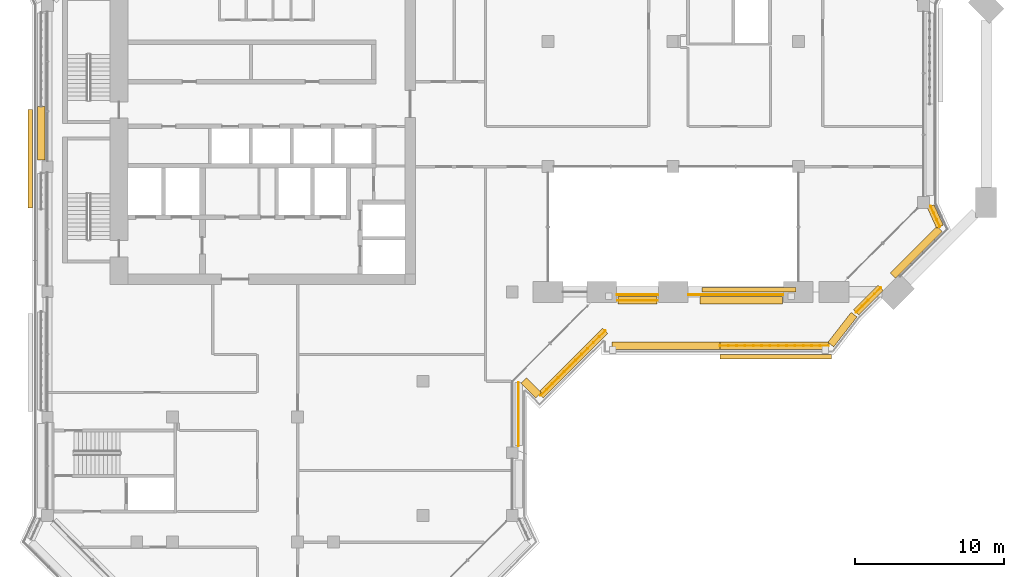
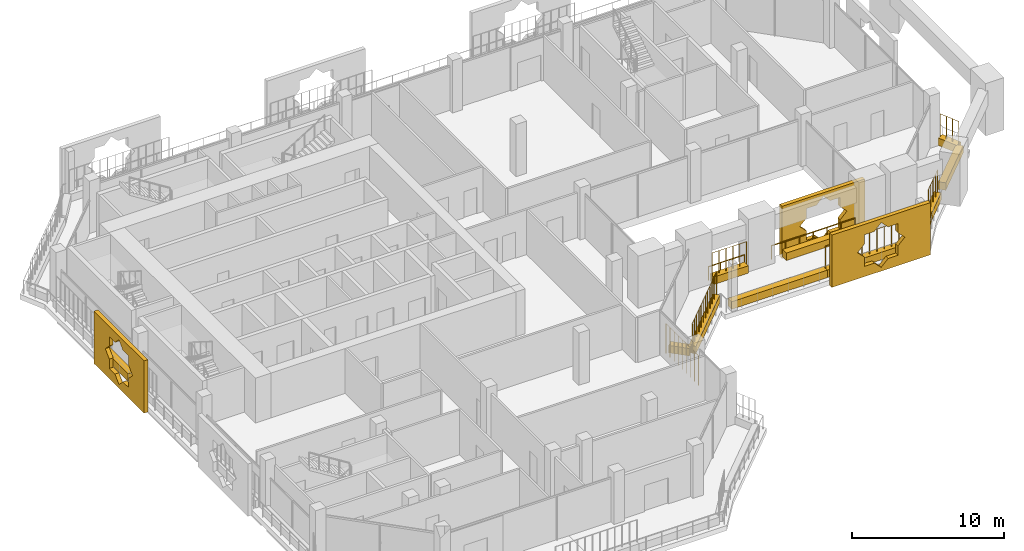
# One storey, part 18 of 22: 14 coverings, 8 railings.
"""IFC4 building model written with IfcOpenShell, lengths in metres."""

from ifc_helpers import new_model, si_unit, direction, frame, origin, origin_2d, place, context, subcontext, project, spatial, polyline, rectangle, circle, outline, extrude, material, material_profile, profile_set, type_object, element, save


model = new_model("IFC4")

# Units and contexts
model_context = context("Model", 3, precision=1e-05, world=origin(), true_north=direction((0.0, 1.0)))
body_context = subcontext(model_context, "Body", "Model", "MODEL_VIEW")
ifc_project = project(units=[si_unit("LENGTHUNIT", "METRE"), si_unit("AREAUNIT", "SQUARE_METRE"), si_unit("VOLUMEUNIT", "CUBIC_METRE"), si_unit("PLANEANGLEUNIT", "RADIAN"), si_unit("MASSUNIT", "GRAM", prefix="KILO")], contexts=[model_context])

# Site, building, storey
site_placement = place(None, origin())
site = spatial("IfcSite", under=ifc_project, at=site_placement, CompositionType="ELEMENT")
building_placement = place(site_placement, origin())
building = spatial("IfcBuilding", under=site, at=building_placement, Name="Kawkab Arch Medical Tower", CompositionType="ELEMENT")
storey_placement = place(building_placement, frame((0.0, 0.0, 286.0)))
storey = spatial("IfcBuildingStorey", under=building, at=storey_placement, Name="L66", CompositionType="ELEMENT", Elevation=286.0)

# Railings
ifc_material_1 = material(Name="Bronze anodised aluminium guard", Category="aluminium")
railing_type_1 = type_object("IfcRailingType", Name="Loggia and terrace guard 1100", PredefinedType="GUARDRAIL", material=ifc_material_1)
railing_1_placement = place(storey_placement, frame((38.22998046875, -25.39990234375, 0.0)))
element("IfcRailing", 1, at=railing_1_placement, inside=storey, type_object=railing_type_1, Name="Guard L66.LOG-01.1.1", PredefinedType="GUARDRAIL", context=body_context, shape_type="SweptSolid", body=[
    extrude(circle(Radius=0.02392578125, at=origin_2d()), frame((0.0, 0.0, 1.076171875), z_axis=(1.0, 0.0, 0.0), x_axis=(0.0, 1.0, 0.0)), (0.0, 0.0, 1.0), 2.739990234375),
    extrude(circle(Radius=0.02099609375, at=origin_2d()), origin(), (0.0, 0.0, 1.0), 1.052001953125),
    extrude(circle(Radius=0.02099609375, at=origin_2d()), frame((0.913330078125, 0.0, 0.0)), (0.0, 0.0, 1.0), 1.052001953125),
    extrude(circle(Radius=0.02099609375, at=origin_2d()), frame((1.82666015625, 0.0, 0.0)), (0.0, 0.0, 1.0), 1.052001953125),
    extrude(circle(Radius=0.02099609375, at=origin_2d()), frame((2.739990234375, 0.0, 0.0)), (0.0, 0.0, 1.0), 1.052001953125),
])
railing_2_placement = place(storey_placement, frame((43.030029296875, -25.39990234375, 0.0)))
element("IfcRailing", 2, at=railing_2_placement, inside=storey, type_object=railing_type_1, Name="Guard L66.LOG-01.1.2", PredefinedType="GUARDRAIL", context=body_context, shape_type="SweptSolid", body=[
    extrude(circle(Radius=0.02392578125, at=origin_2d()), frame((0.0, 0.0, 1.076171875), z_axis=(1.0, 0.0, 0.0), x_axis=(0.0, 1.0, 0.0)), (0.0, 0.0, 1.0), 6.340087890625),
    extrude(circle(Radius=0.02099609375, at=origin_2d()), origin(), (0.0, 0.0, 1.0), 1.052001953125),
    extrude(circle(Radius=0.02099609375, at=origin_2d()), frame((1.056640625, 0.0, 0.0)), (0.0, 0.0, 1.0), 1.052001953125),
    extrude(circle(Radius=0.02099609375, at=origin_2d()), frame((2.11328125, 0.0, 0.0)), (0.0, 0.0, 1.0), 1.052001953125),
    extrude(circle(Radius=0.02099609375, at=origin_2d()), frame((3.169921875, 0.0, 0.0)), (0.0, 0.0, 1.0), 1.052001953125),
    extrude(circle(Radius=0.02099609375, at=origin_2d()), frame((4.226806640625, 0.0, 0.0)), (0.0, 0.0, 1.0), 1.052001953125),
    extrude(circle(Radius=0.02099609375, at=origin_2d()), frame((5.283447265625, 0.0, 0.0)), (0.0, 0.0, 1.0), 1.052001953125),
    extrude(circle(Radius=0.02099609375, at=origin_2d()), frame((6.340087890625, 0.0, 0.0)), (0.0, 0.0, 1.0), 1.052001953125),
])

# Coverings
ifc_material_2 = material(Name="Bronze anodised aluminium mashrabiya panel, eight-point star pattern", Category="aluminium")
ifc_material_profile_1 = material_profile(ifc_material_2, outline(polyline([(-3.14990234375, -2.10009765625), (3.14990234375, -2.10009765625), (3.14990234375, 2.10009765625), (-3.14990234375, 2.10009765625), (-3.14990234375, -2.10009765625)]), holes=[polyline([(1.800048828125, 0.0), (1.272705078125, 0.527099609375), (1.272705078125, 1.272705078125), (0.527099609375, 1.272705078125), (0.0, 1.800048828125), (-0.527099609375, 1.272705078125), (-1.272705078125, 1.272705078125), (-1.272705078125, 0.527099609375), (-1.800048828125, 0.0), (-1.272705078125, -0.527099609375), (-1.272705078125, -1.272705078125), (-0.527099609375, -1.272705078125), (0.0, -1.800048828125), (0.527099609375, -1.272705078125), (1.272705078125, -1.272705078125), (1.272705078125, -0.527099609375), (1.800048828125, 0.0)])]), Name="Mashrabiya panel 6300x4200")
ifc_profile_set_1 = profile_set([ifc_material_profile_1], Name="Bronze anodised aluminium mashrabiya panel, eight-point star pattern")
covering_type_1 = type_object("IfcCoveringType", Name="Mashrabiya panel 6300 x 4200", PredefinedType="USERDEFINED", material=ifc_profile_set_1)
covering_1_placement = place(storey_placement, frame((47.0849609375, -25.199951171875, 1.699951171875), z_axis=(0.0, 1.0, 0.0), x_axis=(-1.0, 0.0, 0.0)))
element("IfcCovering", 3, at=covering_1_placement, inside=storey, type_object=covering_type_1, Name="Mashrabiya panel L66.LOG-01-01.1", ObjectType="SCREEN", PredefinedType="USERDEFINED", context=body_context, shape_type="SweptSolid", body=[
    extrude(outline(polyline([(-3.14990234375, -2.10009765625), (3.14990234375, -2.10009765625), (3.14990234375, 2.10009765625), (-3.14990234375, 2.10009765625), (-3.14990234375, -2.10009765625)]), holes=[polyline([(1.800048828125, 0.0), (1.272705078125, 0.527099609375), (1.272705078125, 1.272705078125), (0.527099609375, 1.272705078125), (0.0, 1.800048828125), (-0.527099609375, 1.272705078125), (-1.272705078125, 1.272705078125), (-1.272705078125, 0.527099609375), (-1.800048828125, 0.0), (-1.272705078125, -0.527099609375), (-1.272705078125, -1.272705078125), (-0.527099609375, -1.272705078125), (0.0, -1.800048828125), (0.527099609375, -1.272705078125), (1.272705078125, -1.272705078125), (1.272705078125, -0.527099609375), (1.800048828125, 0.0)])]), origin(), (0.0, 0.0, 1.0), 0.300048828125),
])
ifc_material_3 = material(Name="Bronze anodised aluminium mashrabiya panel, eight-point star pattern", Category="aluminium")
ifc_material_profile_2 = material_profile(ifc_material_3, outline(polyline([(-3.300048828125, -2.10009765625), (3.300048828125, -2.10009765625), (3.300048828125, 2.10009765625), (-3.300048828125, 2.10009765625), (-3.300048828125, -2.10009765625)]), holes=[polyline([(1.800048828125, 0.0), (1.272705078125, 0.527099609375), (1.272705078125, 1.272705078125), (0.527099609375, 1.272705078125), (0.0, 1.800048828125), (-0.527099609375, 1.272705078125), (-1.272705078125, 1.272705078125), (-1.272705078125, 0.527099609375), (-1.800048828125, 0.0), (-1.272705078125, -0.527099609375), (-1.272705078125, -1.272705078125), (-0.527099609375, -1.272705078125), (0.0, -1.800048828125), (0.527099609375, -1.272705078125), (1.272705078125, -1.272705078125), (1.272705078125, -0.527099609375), (1.800048828125, 0.0)])]), Name="Mashrabiya panel 6600x4200")
ifc_profile_set_2 = profile_set([ifc_material_profile_2], Name="Bronze anodised aluminium mashrabiya panel, eight-point star pattern")
covering_type_2 = type_object("IfcCoveringType", Name="Mashrabiya panel 6600 x 4200", PredefinedType="USERDEFINED", material=ifc_profile_set_2)
covering_2_placement = place(storey_placement, frame((-1.0, -16.259033203125, 1.699951171875), z_axis=(-1.0, 0.0, 0.0), x_axis=(0.0, -1.0, 0.0)))
element("IfcCovering", 4, at=covering_2_placement, inside=storey, type_object=covering_type_2, Name="Mashrabiya panel L66.LOG-01-02.2", ObjectType="SCREEN", PredefinedType="USERDEFINED", context=body_context, shape_type="SweptSolid", body=[
    extrude(outline(polyline([(-3.300048828125, -2.10009765625), (3.300048828125, -2.10009765625), (3.300048828125, 2.10009765625), (-3.300048828125, 2.10009765625), (-3.300048828125, -2.10009765625)]), holes=[polyline([(1.800048828125, 0.0), (1.272705078125, 0.527099609375), (1.272705078125, 1.272705078125), (0.527099609375, 1.272705078125), (0.0, 1.800048828125), (-0.527099609375, 1.272705078125), (-1.272705078125, 1.272705078125), (-1.272705078125, 0.527099609375), (-1.800048828125, 0.0), (-1.272705078125, -0.527099609375), (-1.272705078125, -1.272705078125), (-0.527099609375, -1.272705078125), (0.0, -1.800048828125), (0.527099609375, -1.272705078125), (1.272705078125, -1.272705078125), (1.272705078125, -0.527099609375), (1.800048828125, 0.0)])]), origin(), (0.0, 0.0, 1.0), 0.300048828125),
])
ifc_material_4 = material(Name="Bronze anodised aluminium mashrabiya panel, eight-point star pattern", Category="aluminium")
ifc_material_profile_3 = material_profile(ifc_material_4, outline(polyline([(-3.75, -2.10009765625), (3.75, -2.10009765625), (3.75, 2.10009765625), (-3.75, 2.10009765625), (-3.75, -2.10009765625)]), holes=[polyline([(1.800048828125, 0.0), (1.272705078125, 0.527099609375), (1.272705078125, 1.272705078125), (0.527099609375, 1.272705078125), (0.0, 1.800048828125), (-0.527099609375, 1.272705078125), (-1.272705078125, 1.272705078125), (-1.272705078125, 0.527099609375), (-1.800048828125, 0.0), (-1.272705078125, -0.527099609375), (-1.272705078125, -1.272705078125), (-0.527099609375, -1.272705078125), (0.0, -1.800048828125), (0.527099609375, -1.272705078125), (1.272705078125, -1.272705078125), (1.272705078125, -0.527099609375), (1.800048828125, 0.0)])]), Name="Mashrabiya panel 7500x4200")
ifc_profile_set_3 = profile_set([ifc_material_profile_3], Name="Bronze anodised aluminium mashrabiya panel, eight-point star pattern")
covering_type_3 = type_object("IfcCoveringType", Name="Mashrabiya panel 7500 x 4200", PredefinedType="USERDEFINED", material=ifc_profile_set_3)
covering_3_placement = place(storey_placement, frame((48.87890625, -29.39990234375, 1.699951171875), z_axis=(0.0, -1.0, 0.0), x_axis=(1.0, 0.0, 0.0)))
element("IfcCovering", 5, at=covering_3_placement, inside=storey, type_object=covering_type_3, Name="Mashrabiya panel L66.LOG-01-02.7", ObjectType="SCREEN", PredefinedType="USERDEFINED", context=body_context, shape_type="SweptSolid", body=[
    extrude(outline(polyline([(-3.75, -2.10009765625), (3.75, -2.10009765625), (3.75, 2.10009765625), (-3.75, 2.10009765625), (-3.75, -2.10009765625)]), holes=[polyline([(1.800048828125, 0.0), (1.272705078125, 0.527099609375), (1.272705078125, 1.272705078125), (0.527099609375, 1.272705078125), (0.0, 1.800048828125), (-0.527099609375, 1.272705078125), (-1.272705078125, 1.272705078125), (-1.272705078125, 0.527099609375), (-1.800048828125, 0.0), (-1.272705078125, -0.527099609375), (-1.272705078125, -1.272705078125), (-0.527099609375, -1.272705078125), (0.0, -1.800048828125), (0.527099609375, -1.272705078125), (1.272705078125, -1.272705078125), (1.272705078125, -0.527099609375), (1.800048828125, 0.0)])]), origin(), (0.0, 0.0, 1.0), 0.300048828125),
])
ifc_material_5 = material(Name="Planting soil in a precast trough", Category="concrete")
ifc_material_profile_4 = material_profile(ifc_material_5, rectangle(XDim=0.5, YDim=0.60009765625, at=origin_2d()), Name="Trough 500x600")
ifc_profile_set_4 = profile_set([ifc_material_profile_4], Name="Planting soil in a precast trough")
covering_type_4 = type_object("IfcCoveringType", Name="Planter trough 500 x 600", PredefinedType="USERDEFINED", material=ifc_profile_set_4)
covering_4_placement = place(storey_placement, frame((38.280029296875, -25.780029296875, 0.300048828125), z_axis=(1.0, 0.0, 0.0), x_axis=(0.0, 1.0, 0.0)))
element("IfcCovering", 6, at=covering_4_placement, inside=storey, type_object=covering_type_4, Name="Planter L66.LOG-01-01.1", ObjectType="PLANTER", PredefinedType="USERDEFINED", context=body_context, shape_type="SweptSolid", body=[
    extrude(rectangle(XDim=0.5, YDim=0.60009765625, at=origin_2d()), origin(), (0.0, 0.0, 1.0), 2.639892578125),
])
covering_5_placement = place(storey_placement, frame((43.800048828125, -25.780029296875, 0.300048828125), z_axis=(1.0, 0.0, 0.0), x_axis=(0.0, 1.0, 0.0)))
element("IfcCovering", 7, at=covering_5_placement, inside=storey, type_object=covering_type_4, Name="Planter L66.LOG-01-01.2", ObjectType="PLANTER", PredefinedType="USERDEFINED", context=body_context, shape_type="SweptSolid", body=[
    extrude(rectangle(XDim=0.5, YDim=0.60009765625, at=origin_2d()), origin(), (0.0, 0.0, 1.0), 5.52001953125),
])
covering_6_placement = place(storey_placement, frame((-0.419921875, -16.346923828125, 0.300048828125), z_axis=(0.0, 1.0, 0.0), x_axis=(-1.0, 0.0, 0.0)))
element("IfcCovering", 8, at=covering_6_placement, inside=storey, type_object=covering_type_4, Name="Planter L66.LOG-01-02.8", ObjectType="PLANTER", PredefinedType="USERDEFINED", context=body_context, shape_type="SweptSolid", body=[
    extrude(rectangle(XDim=0.5, YDim=0.60009765625, at=origin_2d()), origin(), (0.0, 0.0, 1.0), 3.5830078125),
])
covering_7_placement = place(storey_placement, frame((59.280029296875, -19.4580078125, 0.300048828125), z_axis=(0.415189748133, -0.909734836667, 0.0), x_axis=(0.909734836667, 0.415189748133, 0.0)))
element("IfcCovering", 9, at=covering_7_placement, inside=storey, type_object=covering_type_4, Name="Planter L66.LOG-01-02.25", ObjectType="PLANTER", PredefinedType="USERDEFINED", context=body_context, shape_type="SweptSolid", body=[
    extrude(rectangle(XDim=0.5, YDim=0.60009765625, at=origin_2d()), origin(), (0.0, 0.0, 1.0), 1.498291015625),
])
covering_8_placement = place(storey_placement, frame((59.873046875, -20.98291015625, 0.300048828125), z_axis=(-0.707079265698, -0.707134295604, 0.0), x_axis=(0.707134295604, -0.707079265698, 0.0)))
element("IfcCovering", 10, at=covering_8_placement, inside=storey, type_object=covering_type_4, Name="Planter L66.LOG-01-02.26", ObjectType="PLANTER", PredefinedType="USERDEFINED", context=body_context, shape_type="SweptSolid", body=[
    extrude(rectangle(XDim=0.5, YDim=0.60009765625, at=origin_2d()), origin(), (0.0, 0.0, 1.0), 4.4365234375),
])
covering_9_placement = place(storey_placement, frame((55.919921875, -24.93603515625, 0.300048828125), z_axis=(-0.707106781187, -0.707106781187, 0.0), x_axis=(0.707106781187, -0.707106781187, 0.0)))
element("IfcCovering", 11, at=covering_9_placement, inside=storey, type_object=covering_type_4, Name="Planter L66.LOG-01-02.27", ObjectType="PLANTER", PredefinedType="USERDEFINED", context=body_context, shape_type="SweptSolid", body=[
    extrude(rectangle(XDim=0.5, YDim=0.60009765625, at=origin_2d()), origin(), (0.0, 0.0, 1.0), 2.3291015625),
])
covering_10_placement = place(storey_placement, frame((54.14111328125, -26.73193359375, 0.300048828125), z_axis=(-0.614099956103, -0.789228258436, 0.0), x_axis=(0.789228258436, -0.614099956103, 0.0)))
element("IfcCovering", 12, at=covering_10_placement, inside=storey, type_object=covering_type_4, Name="Planter L66.LOG-01-02.28", ObjectType="PLANTER", PredefinedType="USERDEFINED", context=body_context, shape_type="SweptSolid", body=[
    extrude(rectangle(XDim=0.5, YDim=0.60009765625, at=origin_2d()), origin(), (0.0, 0.0, 1.0), 2.545654296875),
])
for number, where, z_axis, x_axis, name in (
    (13, (52.416015625, -28.820068359375, 0.300048828125), (-1.0, 0.0, 0.0), (0.0, -1.0, 0.0), "Planter L66.LOG-01-02.29"),
    (14, (45.14794921875, -28.820068359375, 0.300048828125), (-1.0, 0.0, 0.0), (0.0, -1.0, 0.0), "Planter L66.LOG-01-02.30"),
):
    element("IfcCovering", number, at=place(storey_placement, frame(where, z_axis=z_axis, x_axis=x_axis)), inside=storey, type_object=covering_type_4, Name=name, ObjectType="PLANTER", PredefinedType="USERDEFINED", context=body_context, shape_type="SweptSolid", body=[
        extrude(rectangle(XDim=0.5, YDim=0.60009765625, at=origin_2d()), origin(), (0.0, 0.0, 1.0), 7.26806640625),
    ])
covering_11_placement = place(storey_placement, frame((37.43701171875, -27.820068359375, 0.300048828125), z_axis=(-0.707206504313, -0.707007043994, 0.0), x_axis=(0.707007043994, -0.707206504313, 0.0)))
element("IfcCovering", 15, at=covering_11_placement, inside=storey, type_object=covering_type_4, Name="Planter L66.LOG-01-02.31", ObjectType="PLANTER", PredefinedType="USERDEFINED", context=body_context, shape_type="SweptSolid", body=[
    extrude(rectangle(XDim=0.5, YDim=0.60009765625, at=origin_2d()), origin(), (0.0, 0.0, 1.0), 6.1201171875),
])
covering_12_placement = place(storey_placement, frame((32.967041015625, -32.14697265625, 0.300048828125), z_axis=(-0.707192746389, 0.707020805532, 0.0), x_axis=(-0.707020805532, -0.707192746389, 0.0)))
element("IfcCovering", 16, at=covering_12_placement, inside=storey, type_object=covering_type_4, Name="Planter L66.LOG-01-02.32", ObjectType="PLANTER", PredefinedType="USERDEFINED", context=body_context, shape_type="SweptSolid", body=[
    extrude(rectangle(XDim=0.5, YDim=0.60009765625, at=origin_2d()), origin(), (0.0, 0.0, 1.0), 1.419921875),
])

# Railings
ifc_material_6 = material(Name="Bronze anodised aluminium trellis for climbing plants", Category="aluminium")
railing_type_2 = type_object("IfcRailingType", Name="Planting trellis 2400", PredefinedType="USERDEFINED", material=ifc_material_6)
railing_3_placement = place(storey_placement, frame((38.280029296875, -25.780029296875, 0.0)))
element("IfcRailing", 17, at=railing_3_placement, inside=storey, type_object=railing_type_2, Name="Planting trellis L66.LOG-01-01.1", ObjectType="TRELLIS", PredefinedType="USERDEFINED", context=body_context, shape_type="SweptSolid", body=[
    extrude(circle(Radius=0.01513671875, at=origin_2d()), frame((0.0, 0.0, 2.384765625), z_axis=(1.0, 0.0, 0.0), x_axis=(0.0, 1.0, 0.0)), (0.0, 0.0, 1.0), 2.639892578125),
    extrude(circle(Radius=0.030029296875, at=origin_2d()), origin(), (0.0, 0.0, 1.0), 2.369873046875),
    extrude(circle(Radius=0.030029296875, at=origin_2d()), frame((0.528076171875, 0.0, 0.0)), (0.0, 0.0, 1.0), 2.369873046875),
    extrude(circle(Radius=0.030029296875, at=origin_2d()), frame((1.055908203125, 0.0, 0.0)), (0.0, 0.0, 1.0), 2.369873046875),
    extrude(circle(Radius=0.030029296875, at=origin_2d()), frame((1.583984375, 0.0, 0.0)), (0.0, 0.0, 1.0), 2.369873046875),
    extrude(circle(Radius=0.030029296875, at=origin_2d()), frame((2.11181640625, 0.0, 0.0)), (0.0, 0.0, 1.0), 2.369873046875),
    extrude(circle(Radius=0.030029296875, at=origin_2d()), frame((2.639892578125, 0.0, 0.0)), (0.0, 0.0, 1.0), 2.369873046875),
])
railing_4_placement = place(storey_placement, frame((59.280029296875, -19.4580078125, 0.0)))
element("IfcRailing", 18, at=railing_4_placement, inside=storey, type_object=railing_type_2, Name="Planting trellis L66.LOG-01-02.25", ObjectType="TRELLIS", PredefinedType="USERDEFINED", context=body_context, shape_type="SweptSolid", body=[
    extrude(circle(Radius=0.01513671875, at=origin_2d()), frame((0.0, 0.0, 2.384765625), z_axis=(0.415189748133, -0.909734836667, 0.0), x_axis=(0.909734836667, 0.415189748133, 0.0)), (0.0, 0.0, 1.0), 1.498291015625),
    extrude(circle(Radius=0.030029296875, at=origin_2d()), origin(), (0.0, 0.0, 1.0), 2.369873046875),
    extrude(circle(Radius=0.030029296875, at=origin_2d()), frame((0.207275390625, -0.454345703125, 0.0)), (0.0, 0.0, 1.0), 2.369873046875),
    extrude(circle(Radius=0.030029296875, at=origin_2d()), frame((0.414794921875, -0.90869140625, 0.0)), (0.0, 0.0, 1.0), 2.369873046875),
    extrude(circle(Radius=0.030029296875, at=origin_2d()), frame((0.6220703125, -1.363037109375, 0.0)), (0.0, 0.0, 1.0), 2.369873046875),
])
railing_5_placement = place(storey_placement, frame((55.919921875, -24.93603515625, 0.0)))
element("IfcRailing", 19, at=railing_5_placement, inside=storey, type_object=railing_type_2, Name="Planting trellis L66.LOG-01-02.27", ObjectType="TRELLIS", PredefinedType="USERDEFINED", context=body_context, shape_type="SweptSolid", body=[
    extrude(circle(Radius=0.01513671875, at=origin_2d()), frame((0.0, 0.0, 2.384765625), z_axis=(-0.707106781187, -0.707106781187, 0.0), x_axis=(0.707106781187, -0.707106781187, 0.0)), (0.0, 0.0, 1.0), 2.3291015625),
    extrude(circle(Radius=0.030029296875, at=origin_2d()), origin(), (0.0, 0.0, 1.0), 2.369873046875),
    extrude(circle(Radius=0.030029296875, at=origin_2d()), frame((-0.41162109375, -0.41162109375, 0.0)), (0.0, 0.0, 1.0), 2.369873046875),
    extrude(circle(Radius=0.030029296875, at=origin_2d()), frame((-0.823486328125, -0.823486328125, 0.0)), (0.0, 0.0, 1.0), 2.369873046875),
    extrude(circle(Radius=0.030029296875, at=origin_2d()), frame((-1.2353515625, -1.2353515625, 0.0)), (0.0, 0.0, 1.0), 2.369873046875),
    extrude(circle(Radius=0.030029296875, at=origin_2d()), frame((-1.64697265625, -1.64697265625, 0.0)), (0.0, 0.0, 1.0), 2.369873046875),
])
railing_6_placement = place(storey_placement, frame((52.416015625, -28.820068359375, 0.0)))
element("IfcRailing", 20, at=railing_6_placement, inside=storey, type_object=railing_type_2, Name="Planting trellis L66.LOG-01-02.29", ObjectType="TRELLIS", PredefinedType="USERDEFINED", context=body_context, shape_type="SweptSolid", body=[
    extrude(circle(Radius=0.01513671875, at=origin_2d()), frame((0.0, 0.0, 2.384765625), z_axis=(-1.0, 0.0, 0.0), x_axis=(0.0, -1.0, 0.0)), (0.0, 0.0, 1.0), 7.26806640625),
    extrude(circle(Radius=0.030029296875, at=origin_2d()), origin(), (0.0, 0.0, 1.0), 2.369873046875),
    extrude(circle(Radius=0.030029296875, at=origin_2d()), frame((-0.55908203125, 0.0, 0.0)), (0.0, 0.0, 1.0), 2.369873046875),
    extrude(circle(Radius=0.030029296875, at=origin_2d()), frame((-1.1181640625, 0.0, 0.0)), (0.0, 0.0, 1.0), 2.369873046875),
    extrude(circle(Radius=0.030029296875, at=origin_2d()), frame((-1.67724609375, 0.0, 0.0)), (0.0, 0.0, 1.0), 2.369873046875),
    extrude(circle(Radius=0.030029296875, at=origin_2d()), frame((-2.236328125, 0.0, 0.0)), (0.0, 0.0, 1.0), 2.369873046875),
    extrude(circle(Radius=0.030029296875, at=origin_2d()), frame((-2.79541015625, 0.0, 0.0)), (0.0, 0.0, 1.0), 2.369873046875),
    extrude(circle(Radius=0.030029296875, at=origin_2d()), frame((-3.3544921875, 0.0, 0.0)), (0.0, 0.0, 1.0), 2.369873046875),
    extrude(circle(Radius=0.030029296875, at=origin_2d()), frame((-3.91357421875, 0.0, 0.0)), (0.0, 0.0, 1.0), 2.369873046875),
    extrude(circle(Radius=0.030029296875, at=origin_2d()), frame((-4.47265625, 0.0, 0.0)), (0.0, 0.0, 1.0), 2.369873046875),
    extrude(circle(Radius=0.030029296875, at=origin_2d()), frame((-5.03173828125, 0.0, 0.0)), (0.0, 0.0, 1.0), 2.369873046875),
    extrude(circle(Radius=0.030029296875, at=origin_2d()), frame((-5.5908203125, 0.0, 0.0)), (0.0, 0.0, 1.0), 2.369873046875),
    extrude(circle(Radius=0.030029296875, at=origin_2d()), frame((-6.14990234375, 0.0, 0.0)), (0.0, 0.0, 1.0), 2.369873046875),
    extrude(circle(Radius=0.030029296875, at=origin_2d()), frame((-6.708984375, 0.0, 0.0)), (0.0, 0.0, 1.0), 2.369873046875),
    extrude(circle(Radius=0.030029296875, at=origin_2d()), frame((-7.26806640625, 0.0, 0.0)), (0.0, 0.0, 1.0), 2.369873046875),
])
railing_7_placement = place(storey_placement, frame((37.43701171875, -27.820068359375, 0.0)))
element("IfcRailing", 21, at=railing_7_placement, inside=storey, type_object=railing_type_2, Name="Planting trellis L66.LOG-01-02.31", ObjectType="TRELLIS", PredefinedType="USERDEFINED", context=body_context, shape_type="SweptSolid", body=[
    extrude(circle(Radius=0.01513671875, at=origin_2d()), frame((0.0, 0.0, 2.384765625), z_axis=(-0.707206504313, -0.707007043994, 0.0), x_axis=(0.707007043994, -0.707206504313, 0.0)), (0.0, 0.0, 1.0), 6.1201171875),
    extrude(circle(Radius=0.030029296875, at=origin_2d()), origin(), (0.0, 0.0, 1.0), 2.369873046875),
    extrude(circle(Radius=0.030029296875, at=origin_2d()), frame((-0.3935546875, -0.393310546875, 0.0)), (0.0, 0.0, 1.0), 2.369873046875),
    extrude(circle(Radius=0.030029296875, at=origin_2d()), frame((-0.786865234375, -0.78662109375, 0.0)), (0.0, 0.0, 1.0), 2.369873046875),
    extrude(circle(Radius=0.030029296875, at=origin_2d()), frame((-1.180419921875, -1.18017578125, 0.0)), (0.0, 0.0, 1.0), 2.369873046875),
    extrude(circle(Radius=0.030029296875, at=origin_2d()), frame((-1.573974609375, -1.573486328125, 0.0)), (0.0, 0.0, 1.0), 2.369873046875),
    extrude(circle(Radius=0.030029296875, at=origin_2d()), frame((-1.96728515625, -1.966796875, 0.0)), (0.0, 0.0, 1.0), 2.369873046875),
    extrude(circle(Radius=0.030029296875, at=origin_2d()), frame((-2.36083984375, -2.360107421875, 0.0)), (0.0, 0.0, 1.0), 2.369873046875),
    extrude(circle(Radius=0.030029296875, at=origin_2d()), frame((-2.754150390625, -2.75341796875, 0.0)), (0.0, 0.0, 1.0), 2.369873046875),
    extrude(circle(Radius=0.030029296875, at=origin_2d()), frame((-3.147705078125, -3.146728515625, 0.0)), (0.0, 0.0, 1.0), 2.369873046875),
    extrude(circle(Radius=0.030029296875, at=origin_2d()), frame((-3.541259765625, -3.540283203125, 0.0)), (0.0, 0.0, 1.0), 2.369873046875),
    extrude(circle(Radius=0.030029296875, at=origin_2d()), frame((-3.9345703125, -3.93359375, 0.0)), (0.0, 0.0, 1.0), 2.369873046875),
    extrude(circle(Radius=0.030029296875, at=origin_2d()), frame((-4.328125, -4.326904296875, 0.0)), (0.0, 0.0, 1.0), 2.369873046875),
])
railing_8_placement = place(storey_placement, frame((31.6201171875, -31.284912109375, 0.0)))
element("IfcRailing", 22, at=railing_8_placement, inside=storey, type_object=railing_type_2, Name="Planting trellis L66.LOG-01-02.33", ObjectType="TRELLIS", PredefinedType="USERDEFINED", context=body_context, shape_type="SweptSolid", body=[
    extrude(circle(Radius=0.01513671875, at=origin_2d()), frame((0.0, 0.0, 2.384765625), z_axis=(0.0, -1.0, 0.0), x_axis=(1.0, 0.0, 0.0)), (0.0, 0.0, 1.0), 4.235107421875),
    extrude(circle(Radius=0.030029296875, at=origin_2d()), origin(), (0.0, 0.0, 1.0), 2.369873046875),
    extrude(circle(Radius=0.030029296875, at=origin_2d()), frame((0.0, -0.529296875, 0.0)), (0.0, 0.0, 1.0), 2.369873046875),
    extrude(circle(Radius=0.030029296875, at=origin_2d()), frame((0.0, -1.058837890625, 0.0)), (0.0, 0.0, 1.0), 2.369873046875),
    extrude(circle(Radius=0.030029296875, at=origin_2d()), frame((0.0, -1.588134765625, 0.0)), (0.0, 0.0, 1.0), 2.369873046875),
    extrude(circle(Radius=0.030029296875, at=origin_2d()), frame((0.0, -2.11767578125, 0.0)), (0.0, 0.0, 1.0), 2.369873046875),
    extrude(circle(Radius=0.030029296875, at=origin_2d()), frame((0.0, -2.64697265625, 0.0)), (0.0, 0.0, 1.0), 2.369873046875),
    extrude(circle(Radius=0.030029296875, at=origin_2d()), frame((0.0, -3.17626953125, 0.0)), (0.0, 0.0, 1.0), 2.369873046875),
    extrude(circle(Radius=0.030029296875, at=origin_2d()), frame((0.0, -3.705810546875, 0.0)), (0.0, 0.0, 1.0), 2.369873046875),
    extrude(circle(Radius=0.030029296875, at=origin_2d()), frame((0.0, -4.235107421875, 0.0)), (0.0, 0.0, 1.0), 2.369873046875),
])

save(model, "model.ifc")
